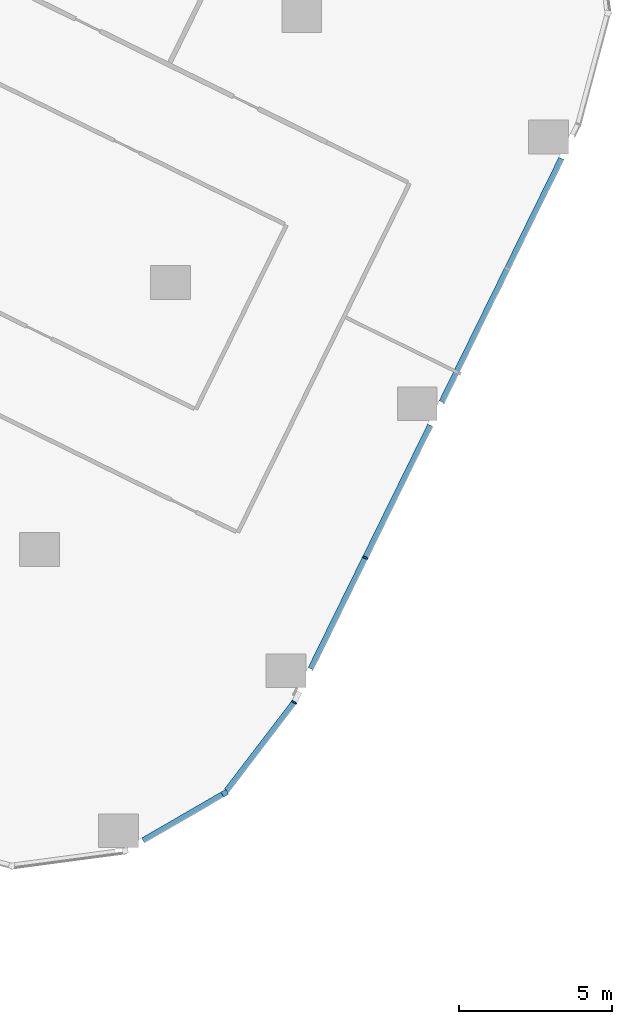
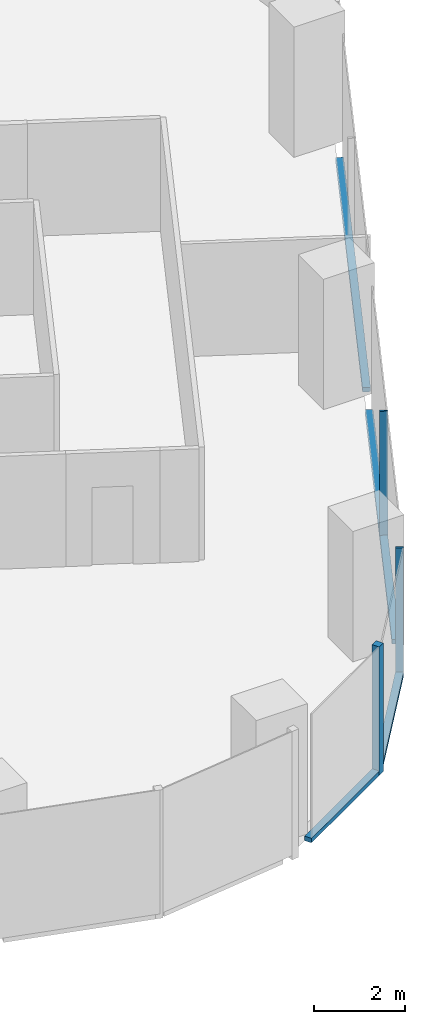
# One storey, part 10 of 38: 7 members, 3 elements without a shape of their own.
"""IFC4 building model written with IfcOpenShell, lengths in metres."""

from ifc_helpers import new_model, si_unit, direction, frame, origin, origin_2d, place, context, subcontext, project, spatial, rectangle, extrude, material, material_profile, profile_set, type_object, element, aggregate, save


model = new_model("IFC4")

# Units and contexts
model_context = context("Model", 3, precision=1e-05, world=origin(), true_north=direction((0.0, 1.0)))
body_context = subcontext(model_context, "Body", "Model", "MODEL_VIEW")
ifc_project = project(units=[si_unit("LENGTHUNIT", "METRE"), si_unit("AREAUNIT", "SQUARE_METRE"), si_unit("VOLUMEUNIT", "CUBIC_METRE"), si_unit("PLANEANGLEUNIT", "RADIAN"), si_unit("MASSUNIT", "GRAM", prefix="KILO")], contexts=[model_context])

# Site, building, storey
site_placement = place(None, origin())
site = spatial("IfcSite", under=ifc_project, at=site_placement, CompositionType="ELEMENT")
building_placement = place(site_placement, origin())
building = spatial("IfcBuilding", under=site, at=building_placement, Name="Orlundy Tower", CompositionType="ELEMENT")
storey_placement = place(building_placement, frame((0.0, 0.0, 69.300048828125)))
storey = spatial("IfcBuildingStorey", under=building, at=storey_placement, Name="L16", CompositionType="ELEMENT", Elevation=69.300048828125)

# Curtain wall, member
ifc_material_1 = material(Name="Aluminium bronze anodised", Category="aluminium")
curtain_wall_type = type_object("IfcCurtainWallType", Name="CW1 wall", PredefinedType="NOTDEFINED", material=ifc_material_1)
curtain_wall_1_placement = place(storey_placement, origin())
curtain_wall_1 = element("IfcCurtainWall", 1, at=curtain_wall_1_placement, inside=storey, type_object=curtain_wall_type, Name="CW1 run 025", PredefinedType="NOTDEFINED")
ifc_material_2 = material(Name="Aluminium bronze anodised", Category="aluminium")
ifc_material_profile_1 = material_profile(ifc_material_2, rectangle(XDim=0.179931640625, YDim=0.179931640625, at=origin_2d()), Name="CW1 corner post 180x180")
ifc_profile_set_1 = profile_set([ifc_material_profile_1], Name="Aluminium bronze anodised")
member_type_1 = type_object("IfcMemberType", Name="CW1 corner post 180x180", PredefinedType="MULLION", material=ifc_profile_set_1)
member_1_placement = place(storey_placement, frame((47.4775390625, -39.115966796875, -0.400146484375), z_axis=(0.0, 0.0, 1.0), x_axis=(0.501302135928, -0.865272308879, 0.0)))
member_1 = element("IfcMember", 2, at=member_1_placement, type_object=member_type_1, Name="CW1 mullion 66", PredefinedType="MULLION", context=body_context, shape_type="SweptSolid", body=[
    extrude(rectangle(XDim=0.179931640625, YDim=0.179931640625, at=origin_2d()), origin(), (0.0, 0.0, 1.0), 3.4501953125),
])

curtain_wall_2_placement = place(storey_placement, origin())
curtain_wall_2 = element("IfcCurtainWall", 3, at=curtain_wall_2_placement, inside=storey, type_object=curtain_wall_type, Name="CW1 run 023", PredefinedType="NOTDEFINED")
ifc_material_3 = material(Name="Aluminium bronze anodised", Category="aluminium")
ifc_material_profile_2 = material_profile(ifc_material_3, rectangle(XDim=0.179931640625, YDim=0.050048828125, at=origin_2d()), Name="CW1 mullion 50x180")
ifc_profile_set_2 = profile_set([ifc_material_profile_2], Name="Aluminium bronze anodised")
member_type_2 = type_object("IfcMemberType", Name="CW1 mullion 50x180", PredefinedType="MULLION", material=ifc_profile_set_2)
member_2_placement = place(storey_placement, frame((52.06494140625, -31.430908203125, -0.400146484375), z_axis=(0.0, 0.0, 1.0), x_axis=(0.897501090883, -0.441012235503, 0.0)))
member_2 = element("IfcMember", 4, at=member_2_placement, type_object=member_type_2, Name="CW1 mullion 64", PredefinedType="MULLION", context=body_context, shape_type="SweptSolid", body=[
    extrude(rectangle(XDim=0.179931640625, YDim=0.050048828125, at=origin_2d()), origin(), (0.0, 0.0, 1.0), 3.4501953125),
])

curtain_wall_3_placement = place(storey_placement, origin())
curtain_wall_3 = element("IfcCurtainWall", 5, at=curtain_wall_3_placement, inside=storey, type_object=curtain_wall_type, Name="CW1 run 024", PredefinedType="NOTDEFINED")
member_3_placement = place(storey_placement, frame((49.745849609375, -36.150634765625, -0.400146484375), z_axis=(0.0, 0.0, 1.0), x_axis=(0.849973121822, -0.526826054955, 0.0)))
member_3 = element("IfcMember", 6, at=member_3_placement, type_object=member_type_2, Name="CW1 mullion 65", PredefinedType="MULLION", context=body_context, shape_type="SweptSolid", body=[
    extrude(rectangle(XDim=0.179931640625, YDim=0.050048828125, at=origin_2d()), origin(), (0.0, 0.0, 1.0), 3.4501953125),
])

# Member
ifc_material_4 = material(Name="Aluminium bronze anodised", Category="aluminium")
ifc_material_profile_3 = material_profile(ifc_material_4, rectangle(XDim=0.179931640625, YDim=0.1201171875, at=origin_2d()), Name="CW1 transom 180x120")
ifc_profile_set_3 = profile_set([ifc_material_profile_3], Name="Aluminium bronze anodised")
member_type_3 = type_object("IfcMemberType", Name="CW1 transom 180x120", PredefinedType="USERDEFINED", material=ifc_profile_set_3)
member_4_placement = place(storey_placement, frame((58.463623046875, -18.408935546875, -0.340087890625), z_axis=(-0.441000966712, -0.897506628031, 0.0), x_axis=(0.897506628031, -0.441000966712, 0.0)))
member_4 = element("IfcMember", 7, at=member_4_placement, type_object=member_type_3, Name="CW1 transom", ObjectType="TRANSOM", PredefinedType="USERDEFINED", context=body_context, shape_type="SweptSolid", body=[
    extrude(rectangle(XDim=0.179931640625, YDim=0.1201171875, at=origin_2d()), origin(), (0.0, 0.0, 1.0), 8.849365234375),
])

member_5_placement = place(storey_placement, frame((54.185791015625, -27.114990234375, -0.340087890625), z_axis=(-0.441021658791, -0.897496460426, 0.0), x_axis=(0.897496460426, -0.441021658791, 0.0)))
member_5 = element("IfcMember", 8, at=member_5_placement, type_object=member_type_3, Name="CW1 transom", ObjectType="TRANSOM", PredefinedType="USERDEFINED", context=body_context, shape_type="SweptSolid", body=[
    extrude(rectangle(XDim=0.179931640625, YDim=0.1201171875, at=origin_2d()), origin(), (0.0, 0.0, 1.0), 8.847412109375),
])

aggregate(curtain_wall_2, [member_2, member_4, member_5])

member_6_placement = place(storey_placement, frame((49.730712890625, -36.170654296875, -0.340087890625), z_axis=(-0.607578093597, -0.794259944968, 0.0), x_axis=(0.794259944968, -0.607578093597, 0.0)))
member_6 = element("IfcMember", 9, at=member_6_placement, type_object=member_type_3, Name="CW1 transom", ObjectType="TRANSOM", PredefinedType="USERDEFINED", context=body_context, shape_type="SweptSolid", body=[
    extrude(rectangle(XDim=0.179931640625, YDim=0.1201171875, at=origin_2d()), origin(), (0.0, 0.0, 1.0), 3.61083984375),
])

aggregate(curtain_wall_3, [member_3, member_6])

member_7_placement = place(storey_placement, frame((47.399658203125, -39.1611328125, -0.340087890625), z_axis=(-0.865284440007, -0.501281196417, 0.0), x_axis=(0.501281196417, -0.865284440007, 0.0)))
member_7 = element("IfcMember", 10, at=member_7_placement, type_object=member_type_3, Name="CW1 transom", ObjectType="TRANSOM", PredefinedType="USERDEFINED", context=body_context, shape_type="SweptSolid", body=[
    extrude(rectangle(XDim=0.179931640625, YDim=0.1201171875, at=origin_2d()), origin(), (0.0, 0.0, 1.0), 2.986083984375),
])

aggregate(curtain_wall_1, [member_1, member_7])

save(model, "model.ifc")
